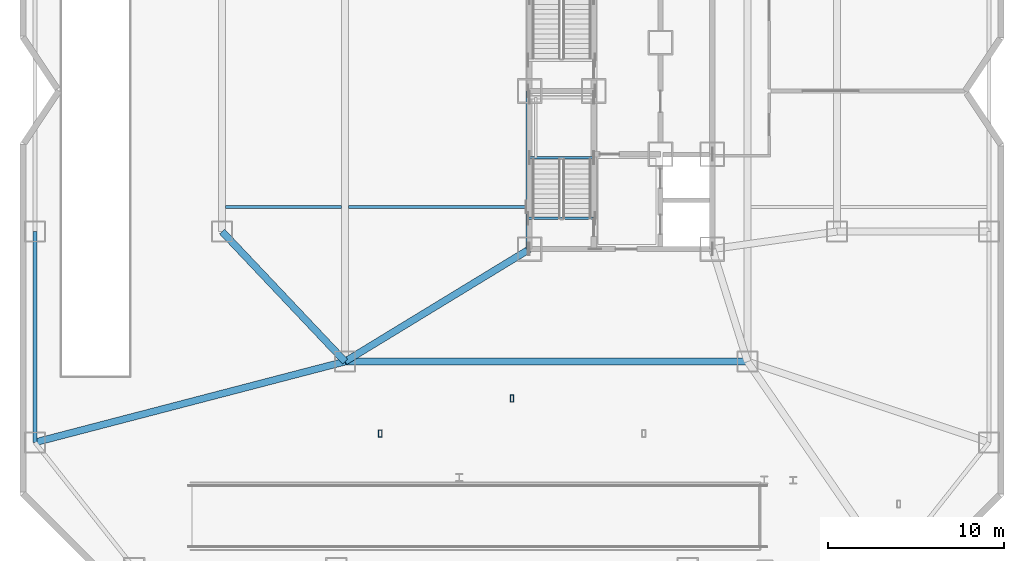
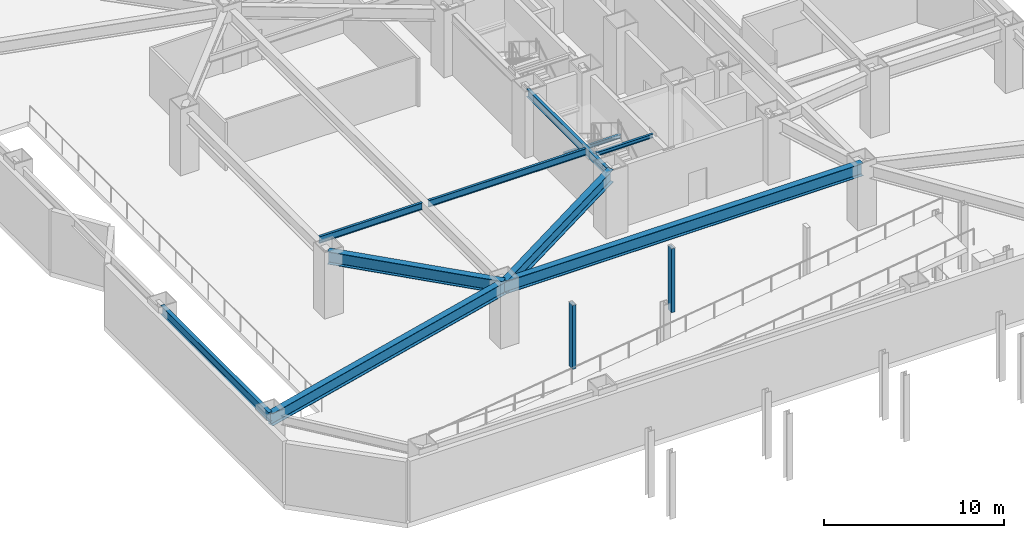
# One storey, part 3 of 14: 10 beams, 2 members.
"""IFC4 building model written with IfcOpenShell, lengths in metres."""

from ifc_helpers import new_model, si_unit, direction, frame, origin, origin_2d, place, context, subcontext, project, spatial, hollow_rectangle, i_section, extrude, material, material_profile, profile_set, type_object, element, save


model = new_model("IFC4")

# Units and contexts
model_context = context("Model", 3, precision=1e-05, world=origin(), true_north=direction((0.0, 1.0)))
body_context = subcontext(model_context, "Body", "Model", "MODEL_VIEW")
ifc_project = project(units=[si_unit("LENGTHUNIT", "METRE"), si_unit("AREAUNIT", "SQUARE_METRE"), si_unit("VOLUMEUNIT", "CUBIC_METRE"), si_unit("PLANEANGLEUNIT", "RADIAN"), si_unit("MASSUNIT", "GRAM", prefix="KILO")], contexts=[model_context])

# Site, building, storey
site_placement = place(None, origin())
site = spatial("IfcSite", under=ifc_project, at=site_placement, CompositionType="ELEMENT")
building_placement = place(site_placement, origin())
building = spatial("IfcBuilding", under=site, at=building_placement, Name="Khamvora Tower", CompositionType="ELEMENT")
storey_placement = place(building_placement, frame((0.0, 0.0, -4.5)))
storey = spatial("IfcBuildingStorey", under=building, at=storey_placement, Name="B1", CompositionType="ELEMENT", Elevation=-4.5)

# Beams
ifc_material = material(Name="Steel S355", Category="steel")
ifc_material_profile_1 = material_profile(ifc_material, i_section(OverallWidth=0.154052734375, OverallDepth=0.458984375, WebThickness=0.009033203125, FlangeThickness=0.014892578125, FilletRadius=0.011962890625, at=origin_2d()), Name="W460x68")
ifc_profile_set_1 = profile_set([ifc_material_profile_1], Name="Steel S355")
beam_type_1 = type_object("IfcBeamType", Name="BM-JS-W460x68", PredefinedType="JOIST", material=ifc_profile_set_1)
beam_1_placement = place(storey_placement, frame((11.695068359375, 21.39990234375, 3.909912109375), z_axis=(1.0, 0.0, 0.0), x_axis=(0.0, 1.0, 0.0)))
element("IfcBeam", 1, at=beam_1_placement, inside=storey, type_object=beam_type_1, Name="B1 secondary floor joist 02", PredefinedType="JOIST", context=body_context, shape_type="SweptSolid", body=[
    extrude(i_section(OverallWidth=0.154052734375, OverallDepth=0.458984375, WebThickness=0.009033203125, FlangeThickness=0.014892578125, FilletRadius=0.011962890625, at=origin_2d()), origin(), (0.0, 0.0, 1.0), 6.60986328125),
])
beam_2_placement = place(storey_placement, frame((18.695068359375, 21.39990234375, 3.909912109375), z_axis=(1.0, 0.0, 0.0), x_axis=(0.0, 1.0, 0.0)))
element("IfcBeam", 2, at=beam_2_placement, inside=storey, type_object=beam_type_1, Name="B1 secondary floor joist 03", PredefinedType="JOIST", context=body_context, shape_type="SweptSolid", body=[
    extrude(i_section(OverallWidth=0.154052734375, OverallDepth=0.458984375, WebThickness=0.009033203125, FlangeThickness=0.014892578125, FilletRadius=0.011962890625, at=origin_2d()), origin(), (0.0, 0.0, 1.0), 10.10498046875),
])
ifc_material_profile_2 = material_profile(ifc_material, i_section(OverallWidth=0.14697265625, OverallDepth=0.261962890625, WebThickness=0.007080078125, FlangeThickness=0.010986328125, FilletRadius=0.008056640625, at=origin_2d()), Name="W250x39")
ifc_profile_set_2 = profile_set([ifc_material_profile_2], Name="Steel S355")
beam_type_2 = type_object("IfcBeamType", Name="BM-LN-W250x39", PredefinedType="LINTEL", material=ifc_profile_set_2)
beam_3_placement = place(storey_placement, frame((29.0, 24.195068359375, 1.9189453125), z_axis=(1.0, 0.0, 0.0), x_axis=(0.0, 1.0, 0.0)))
element("IfcBeam", 3, at=beam_3_placement, inside=storey, type_object=beam_type_2, Name="B1 ST-01 half-landing support beam 1.1", PredefinedType="LINTEL", context=body_context, shape_type="SweptSolid", body=[
    extrude(i_section(OverallWidth=0.14697265625, OverallDepth=0.261962890625, WebThickness=0.007080078125, FlangeThickness=0.010986328125, FilletRadius=0.008056640625, at=origin_2d()), origin(), (0.0, 0.0, 1.0), 3.64990234375),
])
beam_4_placement = place(storey_placement, frame((28.89990234375, 20.75, 4.013916015625), z_axis=(1.0, 0.0, 0.0), x_axis=(0.0, 1.0, 0.0)))
element("IfcBeam", 4, at=beam_4_placement, inside=storey, type_object=beam_type_2, Name="B1 exit stair ST-01 landing trimmer beam", PredefinedType="LINTEL", context=body_context, shape_type="SweptSolid", body=[
    extrude(i_section(OverallWidth=0.14697265625, OverallDepth=0.261962890625, WebThickness=0.007080078125, FlangeThickness=0.010986328125, FilletRadius=0.008056640625, at=origin_2d()), origin(), (0.0, 0.0, 1.0), 3.830078125),
])
ifc_material_profile_3 = material_profile(ifc_material, i_section(OverallWidth=0.39990234375, OverallDepth=0.85498046875, WebThickness=0.01806640625, FlangeThickness=0.029052734375, FilletRadius=0.01806640625, at=origin_2d()), Name="W840x299")
ifc_profile_set_3 = profile_set([ifc_material_profile_3], Name="Steel S355")
beam_type_3 = type_object("IfcBeamType", Name="BM-PG-W840x299", PredefinedType="BEAM", material=ifc_profile_set_3)
beam_5_placement = place(storey_placement, frame((18.5, 12.60009765625, 3.712890625), z_axis=(1.0, 0.0, 0.0), x_axis=(0.0, 1.0, 0.0)))
element("IfcBeam", 5, at=beam_5_placement, inside=storey, type_object=beam_type_3, Name="B1 longitudinal frame girder P17-P18", PredefinedType="BEAM", context=body_context, shape_type="SweptSolid", body=[
    extrude(i_section(OverallWidth=0.39990234375, OverallDepth=0.85498046875, WebThickness=0.01806640625, FlangeThickness=0.029052734375, FilletRadius=0.01806640625, at=origin_2d()), origin(), (0.0, 0.0, 1.0), 22.89990234375),
])
beam_6_placement = place(storey_placement, frame((18.5, 12.60009765625, 3.712890625), z_axis=(-0.967673821538, -0.252205025942, 0.0), x_axis=(0.252205025942, -0.967673821538, 0.0)))
element("IfcBeam", 6, at=beam_6_placement, inside=storey, type_object=beam_type_3, Name="B1 primary floor girder P09", PredefinedType="BEAM", context=body_context, shape_type="SweptSolid", body=[
    extrude(i_section(OverallWidth=0.39990234375, OverallDepth=0.85498046875, WebThickness=0.01806640625, FlangeThickness=0.029052734375, FilletRadius=0.01806640625, at=origin_2d()), origin(), (0.0, 0.0, 1.0), 18.239501953125),
])
beam_7_placement = place(storey_placement, frame((29.0, 19.0, 3.712890625), z_axis=(-0.853887856757, -0.520457037691, 0.0), x_axis=(0.520457037691, -0.853887856757, 0.0)))
element("IfcBeam", 7, at=beam_7_placement, inside=storey, type_object=beam_type_3, Name="B1 primary floor girder P17", PredefinedType="BEAM", context=body_context, shape_type="SweptSolid", body=[
    extrude(i_section(OverallWidth=0.39990234375, OverallDepth=0.85498046875, WebThickness=0.01806640625, FlangeThickness=0.029052734375, FilletRadius=0.01806640625, at=origin_2d()), origin(), (0.0, 0.0, 1.0), 12.296630859375),
])
beam_8_placement = place(storey_placement, frame((18.5, 12.60009765625, 3.712890625), z_axis=(-0.687204640029, 0.726463889483, 0.0), x_axis=(-0.726463889483, -0.687204640029, 0.0)))
element("IfcBeam", 8, at=beam_8_placement, inside=storey, type_object=beam_type_3, Name="B1 primary floor girder P21", PredefinedType="BEAM", context=body_context, shape_type="SweptSolid", body=[
    extrude(i_section(OverallWidth=0.39990234375, OverallDepth=0.85498046875, WebThickness=0.01806640625, FlangeThickness=0.029052734375, FilletRadius=0.01806640625, at=origin_2d()), origin(), (0.0, 0.0, 1.0), 10.186279296875),
])
ifc_material_profile_4 = material_profile(ifc_material, i_section(OverallWidth=0.208984375, OverallDepth=0.532958984375, WebThickness=0.010009765625, FlangeThickness=0.01611328125, FilletRadius=0.013916015625, at=origin_2d()), Name="W530x92")
ifc_profile_set_4 = profile_set([ifc_material_profile_4], Name="Steel S355")
beam_type_4 = type_object("IfcBeamType", Name="BM-SP-W530x92", PredefinedType="SPANDREL", material=ifc_profile_set_4)
beam_9_placement = place(storey_placement, frame((28.89990234375, 19.0, 3.873046875), z_axis=(0.0, 1.0, 0.0), x_axis=(-1.0, 0.0, 0.0)))
element("IfcBeam", 9, at=beam_9_placement, inside=storey, type_object=beam_type_4, Name="B1 core spine girder WS", PredefinedType="SPANDREL", context=body_context, shape_type="SweptSolid", body=[
    extrude(i_section(OverallWidth=0.208984375, OverallDepth=0.532958984375, WebThickness=0.010009765625, FlangeThickness=0.01611328125, FilletRadius=0.013916015625, at=origin_2d()), origin(), (0.0, 0.0, 1.0), 9.0),
])
ifc_material_profile_5 = material_profile(ifc_material, i_section(OverallWidth=0.22998046875, OverallDepth=0.616943359375, WebThickness=0.012939453125, FlangeThickness=0.02197265625, FilletRadius=0.013916015625, at=origin_2d()), Name="W610x140")
ifc_profile_set_5 = profile_set([ifc_material_profile_5], Name="Steel S355")
beam_type_5 = type_object("IfcBeamType", Name="BM-SP-W610x140", PredefinedType="SPANDREL", material=ifc_profile_set_5)
beam_10_placement = place(storey_placement, frame((0.85009765625, 20.0, 3.83203125), z_axis=(0.0, -1.0, 0.0), x_axis=(1.0, 0.0, 0.0)))
element("IfcBeam", 10, at=beam_10_placement, inside=storey, type_object=beam_type_5, Name="B1 perimeter spandrel beam P10-P09", PredefinedType="SPANDREL", context=body_context, shape_type="SweptSolid", body=[
    extrude(i_section(OverallWidth=0.22998046875, OverallDepth=0.616943359375, WebThickness=0.012939453125, FlangeThickness=0.02197265625, FilletRadius=0.013916015625, at=origin_2d()), origin(), (0.0, 0.0, 1.0), 12.0),
])

# Members
ifc_material_profile_6 = material_profile(ifc_material, hollow_rectangle(XDim=0.199951171875, YDim=0.39990234375, WallThickness=0.01611328125, at=origin_2d()), Name="RHS400x200x16")
ifc_profile_set_6 = profile_set([ifc_material_profile_6], Name="Steel S355")
member_type = type_object("IfcMemberType", Name="MEM-PS-RHS400", PredefinedType="POST", material=ifc_profile_set_6)
for number, where, z_axis, x_axis, name in (
    (11, (20.5, 8.5, 0.0), (0.0, 0.0, 1.0), (1.0, 0.0, 0.0), "B1 plaza apron structural post ENT1"),
    (12, (28.0, 10.5, 0.0), (0.0, 0.0, 1.0), (1.0, 0.0, 0.0), "B1 plaza apron structural post ENT3"),
):
    element("IfcMember", number, at=place(storey_placement, frame(where, z_axis=z_axis, x_axis=x_axis)), inside=storey, type_object=member_type, Name=name, PredefinedType="POST", context=body_context, shape_type="SweptSolid", body=[
        extrude(hollow_rectangle(XDim=0.199951171875, YDim=0.39990234375, WallThickness=0.01611328125, at=origin_2d()), origin(), (0.0, 0.0, 1.0), 4.324951171875),
    ])

save(model, "model.ifc")
